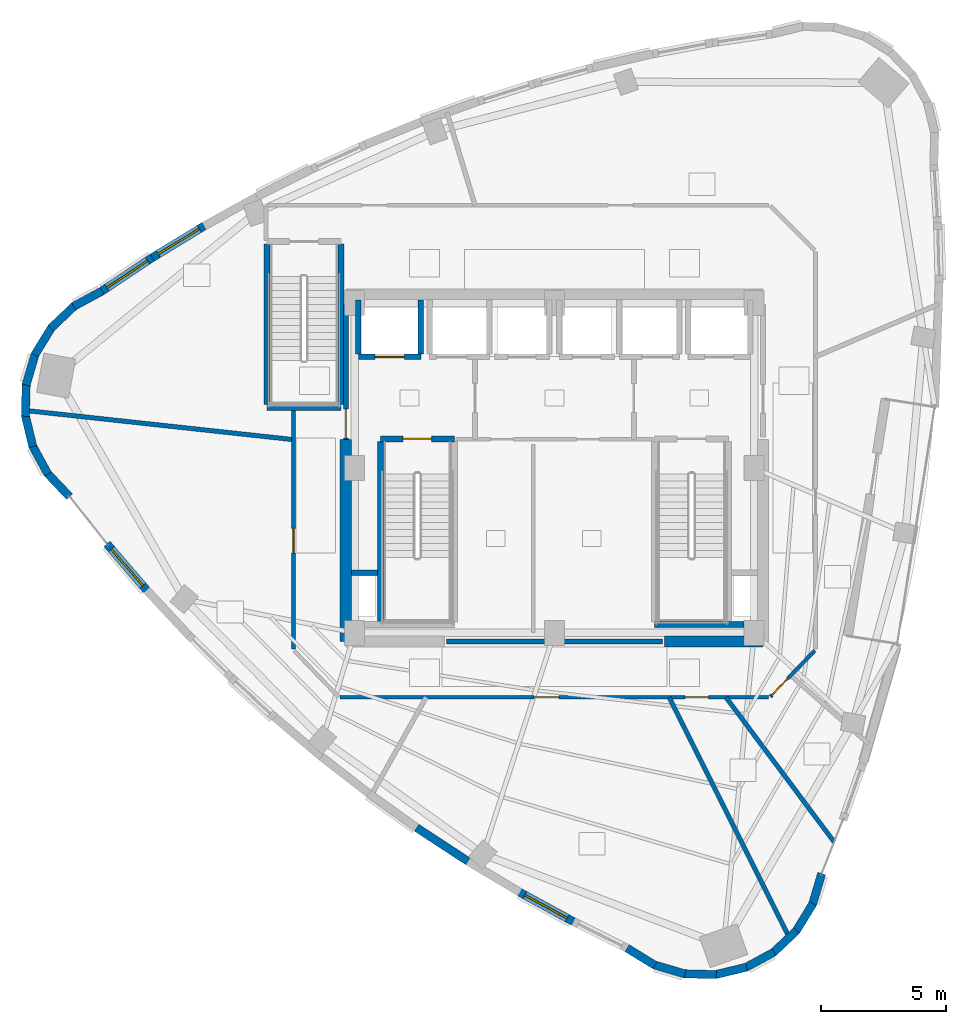
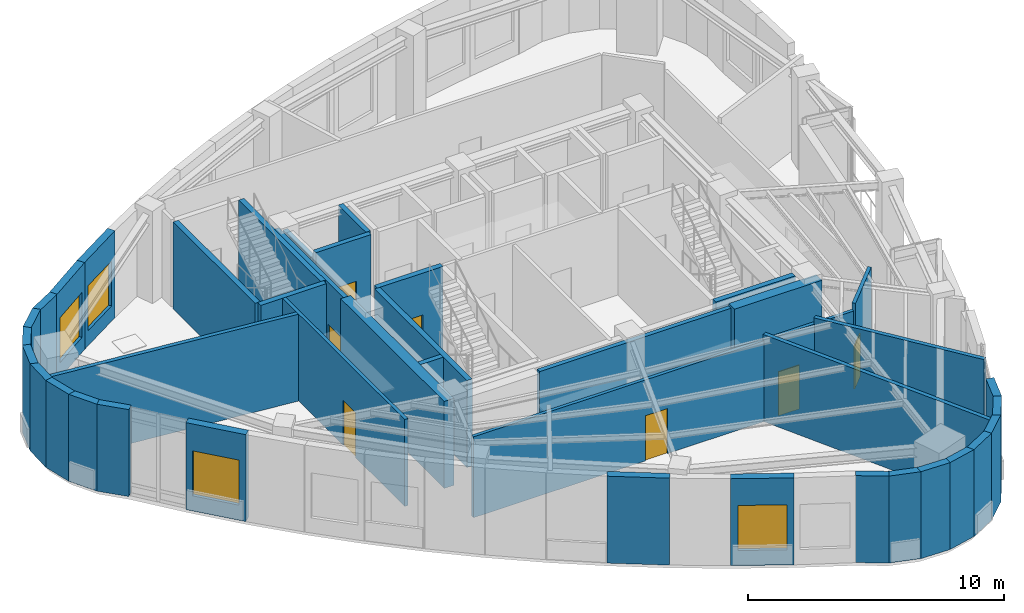
# One storey, part 9 of 14: 41 walls, 7 doors, 4 windows, 11 openings.
"""IFC4 building model written with IfcOpenShell, lengths in metres."""

import ifcopenshell
import ifcopenshell.guid

model = None  # the IFC model being written
_history = None  # IfcOwnerHistory: only IFC2X3 demands one
_inside = {}  # id of a spatial element -> (the spatial element, [elements in it])
_under = {}  # id of a project, library or spatial element -> (it, [spatial elements below it])
_declared = {}  # id of a project -> (the project, [libraries it declares])
_typed = {}  # id of a type object -> (the type object, [elements of that type])
_made_of = {}  # id of a material, layer set ... -> (it, [elements and type objects made of it])


def new_model(schema):
    """Start an empty IFC model of exactly this schema.

    Asked for "IFC4X3", IfcOpenShell would pick the latest addendum, in which some entities
    have other attributes; the version numbers below select the first issue.
    IFC2X3 requires an IfcOwnerHistory on every rooted entity: one is made here for all.
    """
    global model, _history
    if schema == "IFC4X3":
        model = ifcopenshell.file(schema_version=(4, 3, 0, 0))
    else:
        model = ifcopenshell.file(schema=schema)
    _inside.clear()
    _under.clear()
    _declared.clear()
    _typed.clear()
    _made_of.clear()
    _history = None
    if model.schema == "IFC2X3":
        org = make("IfcOrganization", Name="unknown")
        user = make(
            "IfcPersonAndOrganization",
            ThePerson=make("IfcPerson", FamilyName="unknown"),
            TheOrganization=org,
        )
        app = make(
            "IfcApplication",
            ApplicationDeveloper=org,
            Version="unknown",
            ApplicationFullName="unknown",
            ApplicationIdentifier="unknown",
        )
        _history = make(
            "IfcOwnerHistory",
            OwningUser=user,
            OwningApplication=app,
            ChangeAction="ADDED",
            CreationDate=0,
        )
    return model


def make(cls, **values):
    """One entity of the class cls with the attributes given. An attribute that is None is left unset."""
    return model.create_entity(
        cls, **{name: value for name, value in values.items() if value is not None}
    )


def rooted(cls, **values):
    """An entity with a GlobalId (a new one), such as an element, a storey or a relation."""
    return make(cls, GlobalId=ifcopenshell.guid.new(), OwnerHistory=_history, **values)


def si_unit(unit_type, name, prefix=None):
    """IfcSIUnit, for example si_unit("LENGTHUNIT", "METRE", prefix="MILLI")."""
    return make("IfcSIUnit", UnitType=unit_type, Prefix=prefix, Name=name)


def assignment(units):
    """IfcUnitAssignment: the units of a project."""
    return None if units is None else make("IfcUnitAssignment", Units=units)


def point(xyz):
    """IfcCartesianPoint."""
    return None if xyz is None else make("IfcCartesianPoint", Coordinates=xyz)


def direction(xyz):
    """IfcDirection."""
    return None if xyz is None else make("IfcDirection", DirectionRatios=xyz)


def frame(location, z_axis=None, x_axis=None):
    """IfcAxis2Placement3D, a coordinate frame: its origin and axes. An axis left out is left unset."""
    return make(
        "IfcAxis2Placement3D",
        Location=point(location),
        Axis=direction(z_axis),
        RefDirection=direction(x_axis),
    )


def frame_2d(location, x_axis=None):
    """IfcAxis2Placement2D, a coordinate frame in the plane: its origin and x axis."""
    return make(
        "IfcAxis2Placement2D", Location=point(location), RefDirection=direction(x_axis)
    )


def origin():
    """The frame at (0, 0, 0) with its axes left unset."""
    return frame((0.0, 0.0, 0.0))


def place(relative_to, where):
    """IfcLocalPlacement: puts the frame where relative to a parent placement (None: the world)."""
    return make(
        "IfcLocalPlacement", PlacementRelTo=relative_to, RelativePlacement=where
    )


def context(
    kind, dimensions, precision=None, world=None, true_north=None, identifier=None
):
    """IfcGeometricRepresentationContext, for example the 3D "Model" context."""
    return make(
        "IfcGeometricRepresentationContext",
        ContextIdentifier=identifier,
        ContextType=kind,
        CoordinateSpaceDimension=dimensions,
        Precision=precision,
        WorldCoordinateSystem=world,
        TrueNorth=true_north,
    )


def subcontext(parent, identifier, kind, view, scale=None):
    """IfcGeometricRepresentationSubContext, for example "Body" below "Model"."""
    return make(
        "IfcGeometricRepresentationSubContext",
        ContextIdentifier=identifier,
        ContextType=kind,
        ParentContext=parent,
        TargetScale=scale,
        TargetView=view,
    )


def project(units=None, contexts=None):
    """IfcProject with its units and contexts."""
    return rooted(
        "IfcProject",
        Name="project",
        RepresentationContexts=contexts,
        UnitsInContext=assignment(units),
    )


def spatial(cls, under=None, at=None, **own):
    """A site, building, storey or space (cls), placed at a placement, below another one or the project."""
    s = rooted(cls, ObjectPlacement=at, **own)
    if under is not None:
        _under.setdefault(under.id(), (under, []))[1].append(s)
    return s


def profile(cls, at=None, kind="AREA", **sizes):
    """A parametric profile (cls). Its sizes go by their IFC names, for example OverallWidth=200.0."""
    return make(cls, ProfileType=kind, Position=at, **sizes)


def rectangle(**sizes):
    """IfcRectangleProfileDef."""
    return profile("IfcRectangleProfileDef", **sizes)


def extrude(swept, where, along, depth):
    """IfcExtrudedAreaSolid: the profile swept, set in the frame where, extruded along a direction by depth."""
    return make(
        "IfcExtrudedAreaSolid",
        SweptArea=swept,
        Position=where,
        ExtrudedDirection=direction(along),
        Depth=depth,
    )


def shape(context_of_items, identifier, shape_type, items):
    """IfcShapeRepresentation: the items that make up one representation, for example the "Body"."""
    return make(
        "IfcShapeRepresentation",
        ContextOfItems=context_of_items,
        RepresentationIdentifier=identifier,
        RepresentationType=shape_type,
        Items=items,
    )


def material(Name=None, Category=None):
    """IfcMaterial."""
    return make("IfcMaterial", Name=Name, Category=Category)


def layer(
    of_material, thickness, ventilated=None, Name=None, Category=None, Priority=None
):
    """IfcMaterialLayer: one layer of a wall or slab, of a material (None: an air gap)."""
    return make(
        "IfcMaterialLayer",
        Material=of_material,
        LayerThickness=thickness,
        IsVentilated=ventilated,
        Name=Name,
        Category=Category,
        Priority=Priority,
    )


def layer_set(layers, Name=None):
    """IfcMaterialLayerSet."""
    return make("IfcMaterialLayerSet", MaterialLayers=layers, LayerSetName=Name)


def made_of(thing, what):
    """Note that an element or type object is made of a material, layer set ...; save() writes the relation."""
    if what is not None:
        _made_of.setdefault(what.id(), (what, []))[1].append(thing)
    return thing


def type_object(cls, material=None, **own):
    """A type object (cls), such as IfcWallType, which elements share."""
    return made_of(rooted(cls, **own), material)


def element(
    cls,
    number,
    at=None,
    inside=None,
    cuts=None,
    type_object=None,
    material=None,
    context=None,
    identifier="Body",
    shape_type=None,
    held_by="IfcProductDefinitionShape",
    body=None,
    shapes=None,
    **own,
):
    """One element of the class cls, such as IfcWall. Its Tag is "e" and its number.

    at: its placement. inside: the storey or other place that contains it. cuts: it is an
    opening in that element (IfcRelVoidsElement). A single representation is given by context,
    identifier, shape_type and body (its items); several are given by shapes. held_by: the class
    of the entity that holds the representations. save() writes the other relations.
    """
    e = rooted(cls, Tag="e%d" % number, ObjectPlacement=at, **own)
    if body is not None:
        shapes = [shape(context, identifier, shape_type, body)]
    if shapes is not None:
        e.Representation = make(held_by, Representations=shapes)
    if inside is not None:
        _inside.setdefault(inside.id(), (inside, []))[1].append(e)
    if cuts is not None:
        rooted(
            "IfcRelVoidsElement", RelatingBuildingElement=cuts, RelatedOpeningElement=e
        )
    if type_object is not None:
        _typed.setdefault(type_object.id(), (type_object, []))[1].append(e)
    return made_of(e, material)


def fill(opening, filler):
    """IfcRelFillsElement: the door or window that sits in an opening."""
    return rooted(
        "IfcRelFillsElement",
        RelatingOpeningElement=opening,
        RelatedBuildingElement=filler,
    )


def aggregate(whole, parts):
    """IfcRelAggregates: a whole, such as a stair, and the parts it consists of."""
    return rooted("IfcRelAggregates", RelatingObject=whole, RelatedObjects=parts)


def save(model, path):
    """Write the relations noted so far, then the file.

    IfcRelAggregates (storeys below a building ...), IfcRelContainedInSpatialStructure (elements
    in a storey), IfcRelDefinesByType, IfcRelAssociatesMaterial and IfcRelDeclares: one each for
    every whole, place, type object, material and project.
    """
    for whole, parts in _under.values():
        aggregate(whole, parts)
    for where, things in _inside.values():
        rooted(
            "IfcRelContainedInSpatialStructure",
            RelatedElements=things,
            RelatingStructure=where,
        )
    for kind, things in _typed.values():
        rooted("IfcRelDefinesByType", RelatedObjects=things, RelatingType=kind)
    for what, things in _made_of.values():
        rooted("IfcRelAssociatesMaterial", RelatedObjects=things, RelatingMaterial=what)
    for by, libraries in _declared.values():
        rooted("IfcRelDeclares", RelatingContext=by, RelatedDefinitions=libraries)
    model.write(path)


model = new_model("IFC4")

# Units and contexts
model_context = context("Model", 3, precision=1e-05, world=origin(), true_north=direction((0.0, 1.0)))
body_context = subcontext(model_context, "Body", "Model", "MODEL_VIEW")
ifc_project = project(units=[si_unit("LENGTHUNIT", "METRE"), si_unit("AREAUNIT", "SQUARE_METRE"), si_unit("VOLUMEUNIT", "CUBIC_METRE"), si_unit("PLANEANGLEUNIT", "RADIAN"), si_unit("MASSUNIT", "GRAM", prefix="KILO")], contexts=[model_context])

# Site, building, storey
site_placement = place(None, origin())
site = spatial("IfcSite", under=ifc_project, at=site_placement, CompositionType="ELEMENT")
building_placement = place(site_placement, origin())
building = spatial("IfcBuilding", under=site, at=building_placement, Name="Ndelora Gate Hotel", CompositionType="ELEMENT")
storey_placement = place(building_placement, frame((0.0, 0.0, 277.199951171875)))
storey = spatial("IfcBuildingStorey", under=building, at=storey_placement, Name="L69", CompositionType="ELEMENT", Elevation=277.199951171875)

# Walls
ifc_material_1 = material(Name="Acoustic Double-Stud Gypsum Assembly", Category="gypsum")
ifc_layer_1 = layer(ifc_material_1, 0.179931640625)
ifc_layer_set_1 = layer_set([ifc_layer_1], Name="Acoustic Double-Stud Gypsum Assembly")
wall_type_1 = type_object("IfcWallType", Name="WL-ACOUST-180", PredefinedType="PARTITIONING", material=ifc_layer_set_1)
wall_1_placement = place(storey_placement, frame((-10.449951171875, 1.136962890625, 0.0), z_axis=(0.0, 0.0, 1.0), x_axis=(-0.994132831071, 0.108166141594, 0.0)))
element("IfcWall", 1, at=wall_1_placement, inside=storey, type_object=wall_type_1, Name="L69 Interior Wall IW-3", PredefinedType="PARTITIONING", context=body_context, shape_type="SweptSolid", body=[
    extrude(rectangle(XDim=10.788818359375, YDim=0.179931640625, at=frame_2d((5.39453125, 0.0))), origin(), (0.0, 0.0, 1.0), 4.150146484375),
])
wall_2_placement = place(storey_placement, frame((4.59326171875, -9.179931640625, 0.0), z_axis=(0.0, 0.0, 1.0), x_axis=(0.447458836271, -0.894304528582, 0.0)))
element("IfcWall", 2, at=wall_2_placement, inside=storey, type_object=wall_type_1, Name="L69 Interior Wall IW-3", PredefinedType="PARTITIONING", context=body_context, shape_type="SweptSolid", body=[
    extrude(rectangle(XDim=10.750732421875, YDim=0.179931640625, at=frame_2d((5.37548828125, 0.0))), origin(), (0.0, 0.0, 1.0), 4.150146484375),
])
wall_3_placement = place(storey_placement, frame((6.866943359375, -9.179931640625, 0.0), z_axis=(0.0, 0.0, 1.0), x_axis=(0.598984906235, -0.800760315015, 0.0)))
element("IfcWall", 3, at=wall_3_placement, inside=storey, type_object=wall_type_1, Name="L69 Interior Wall IW-3", PredefinedType="PARTITIONING", context=body_context, shape_type="SweptSolid", body=[
    extrude(rectangle(XDim=7.238037109375, YDim=0.179931640625, at=frame_2d((3.619140625, 0.0))), origin(), (0.0, 0.0, 1.0), 4.150146484375),
])
ifc_material_2 = material(Name="Clay Brick Masonry", Category="masonry")
ifc_layer_2 = layer(ifc_material_2, 0.330078125)
ifc_layer_set_2 = layer_set([ifc_layer_2], Name="Clay Brick Masonry")
wall_type_2 = type_object("IfcWallType", Name="WL-BRICK-330", PredefinedType="SOLIDWALL", material=ifc_layer_set_2)
wall_4_placement = place(storey_placement, frame((-19.25048828125, 6.469970703125, 0.0), z_axis=(0.0, 0.0, 1.0), x_axis=(0.878774855812, 0.477236579478, 0.0)))
element("IfcWall", 4, at=wall_4_placement, inside=storey, type_object=wall_type_2, Name="L69 Tower Brick Pier-and-Spandrel Wall TWR-1", PredefinedType="SOLIDWALL", context=body_context, shape_type="SweptSolid", body=[
    extrude(rectangle(XDim=1.302978515625, YDim=0.330078125, at=frame_2d((0.6513671875, 0.0))), origin(), (0.0, 0.0, 1.0), 4.150146484375),
])
wall_5_placement = place(storey_placement, frame((-20.155517578125, 5.602294921875, 0.0), z_axis=(0.0, 0.0, 1.0), x_axis=(0.725415712612, 0.688311008118, 0.0)))
element("IfcWall", 5, at=wall_5_placement, inside=storey, type_object=wall_type_2, Name="L69 Tower Brick Pier-and-Spandrel Wall TWR-2", PredefinedType="SOLIDWALL", context=body_context, shape_type="SweptSolid", body=[
    extrude(rectangle(XDim=1.302734375, YDim=0.330078125, at=frame_2d((0.6513671875, 0.0))), origin(), (0.0, 0.0, 1.0), 4.150146484375),
])
wall_6_placement = place(storey_placement, frame((-20.805419921875, 4.52978515625, 0.0), z_axis=(0.0, 0.0, 1.0), x_axis=(0.522601602676, 0.852577014047, 0.0)))
element("IfcWall", 6, at=wall_6_placement, inside=storey, type_object=wall_type_2, Name="L69 Tower Brick Pier-and-Spandrel Wall TWR-3", PredefinedType="SOLIDWALL", context=body_context, shape_type="SweptSolid", body=[
    extrude(rectangle(XDim=1.302978515625, YDim=0.330078125, at=frame_2d((0.6513671875, 0.0))), origin(), (0.0, 0.0, 1.0), 4.150146484375),
])
wall_7_placement = place(storey_placement, frame((-21.1552734375, 3.325439453125, 0.0), z_axis=(0.0, 0.0, 1.0), x_axis=(0.284011785169, 0.958820789243, 0.0)))
element("IfcWall", 7, at=wall_7_placement, inside=storey, type_object=wall_type_2, Name="L69 Tower Brick Pier-and-Spandrel Wall TWR-4", PredefinedType="SOLIDWALL", context=body_context, shape_type="SweptSolid", body=[
    extrude(rectangle(XDim=1.30322265625, YDim=0.330078125, at=frame_2d((0.651611328125, 0.0))), origin(), (0.0, 0.0, 1.0), 4.150146484375),
])
for number, where, z_axis, x_axis, name in (
    (8, (-21.181640625, 2.072021484375, 0.0), (0.0, 0.0, 1.0), (0.02623276863, 0.999655861709, 0.0), "L69 Tower Brick Pier-and-Spandrel Wall TWR-5"),
    (9, (-20.882568359375, 0.854248046875, 0.0), (0.0, 0.0, 1.0), (-0.233486347997, 0.972360080062, 0.0), "L69 Tower Brick Pier-and-Spandrel Wall TWR-6"),
    (10, (-20.278564453125, -0.24462890625, 0.0), (0.0, 0.0, 1.0), (-0.477236579478, 0.878774855812, 0.0), "L69 Tower Brick Pier-and-Spandrel Wall TWR-7"),
):
    element("IfcWall", number, at=place(storey_placement, frame(where, z_axis=z_axis, x_axis=x_axis)), inside=storey, type_object=wall_type_2, Name=name, PredefinedType="SOLIDWALL", context=body_context, shape_type="SweptSolid", body=[
        extrude(rectangle(XDim=1.302978515625, YDim=0.330078125, at=frame_2d((0.6513671875, 0.0))), origin(), (0.0, 0.0, 1.0), 4.150146484375),
    ])
wall_8_placement = place(storey_placement, frame((-19.41064453125, -1.14990234375, 0.0), z_axis=(0.0, 0.0, 1.0), x_axis=(-0.688316050819, 0.725410927809, 0.0)))
element("IfcWall", 11, at=wall_8_placement, inside=storey, type_object=wall_type_2, Name="L69 Tower Brick Pier-and-Spandrel Wall TWR-8", PredefinedType="SOLIDWALL", context=body_context, shape_type="SweptSolid", body=[
    extrude(rectangle(XDim=1.30322265625, YDim=0.330078125, at=frame_2d((0.651611328125, 0.0))), origin(), (0.0, 0.0, 1.0), 4.150146484375),
])

# Wall, opening, window
wall_9_placement = place(storey_placement, frame((-16.296630859375, -4.924072265625, 0.0), z_axis=(0.0, 0.0, 1.0), x_axis=(-0.651591190477, 0.75857031348, 0.0)))
wall_9 = element("IfcWall", 12, at=wall_9_placement, inside=storey, type_object=wall_type_2, Name="L69 Tower Brick Pier-and-Spandrel Wall TWR-10", PredefinedType="SOLIDWALL", context=body_context, shape_type="SweptSolid", body=[
    extrude(rectangle(XDim=2.487548828125, YDim=0.330078125, at=frame_2d((1.24365234375, 0.0))), origin(), (0.0, 0.0, 1.0), 4.150146484375),
])
opening_1_placement = place(wall_9_placement, frame((0.27880859375, 0.0, 0.719970703125)))
opening_1 = element("IfcOpeningElement", 13, at=opening_1_placement, cuts=wall_9, Name="Opening W05", PredefinedType="OPENING", context=body_context, shape_type="SweptSolid", body=[
    extrude(rectangle(XDim=1.929931640625, YDim=2.14990234375, at=frame_2d((0.96484375, 1.074951171875))), frame((0.0, 0.175048828125, 0.0), z_axis=(0.0, -1.0, 0.0), x_axis=(1.0, 0.0, 0.0)), (0.0, 0.0, 1.0), 0.35009765625),
])
ifc_material_3 = material(Name="Insulated Low-E Double Glazing in Bronze Aluminium Frame", Category="aluminium")
window_type = type_object("IfcWindowType", Name="WN-SKY-2000", PartitioningType="SINGLE_PANEL", PredefinedType="WINDOW", material=ifc_material_3)
window_1_placement = place(opening_1_placement, origin())
window_1 = element("IfcWindow", 14, at=window_1_placement, inside=storey, type_object=window_type, Name="L69 Deep-Set Brick-Pier Window W05", OverallHeight=2.14990234375, OverallWidth=1.929931640625, PartitioningType="SINGLE_PANEL", PredefinedType="WINDOW", context=body_context, shape_type="SweptSolid", body=[
    extrude(rectangle(XDim=1.929931640625, YDim=2.14990234375, at=frame_2d((0.96484375, 1.074951171875))), frame((0.0, 0.030029296875, 0.0), z_axis=(0.0, -1.0, 0.0), x_axis=(1.0, 0.0, 0.0)), (0.0, 0.0, 1.0), 0.06005859375),
])
fill(opening_1, window_1)

# Wall
wall_10_placement = place(storey_placement, frame((-3.462890625, -15.74560546875, 0.0), z_axis=(0.0, 0.0, 1.0), x_axis=(-0.8366477668, 0.547741284101, 0.0)))
element("IfcWall", 15, at=wall_10_placement, inside=storey, type_object=wall_type_2, Name="L69 Tower Brick Pier-and-Spandrel Wall TWR-17", PredefinedType="SOLIDWALL", context=body_context, shape_type="SweptSolid", body=[
    extrude(rectangle(XDim=2.4599609375, YDim=0.330078125, at=frame_2d((1.22998046875, 0.0))), origin(), (0.0, 0.0, 1.0), 4.150146484375),
])

# Wall, opening, window
wall_11_placement = place(storey_placement, frame((0.75439453125, -18.1572265625, 0.0), z_axis=(0.0, 0.0, 1.0), x_axis=(-0.877475074231, 0.479622241044, 0.0)))
wall_11 = element("IfcWall", 16, at=wall_11_placement, inside=storey, type_object=wall_type_2, Name="L69 Tower Brick Pier-and-Spandrel Wall TWR-19", PredefinedType="SOLIDWALL", context=body_context, shape_type="SweptSolid", body=[
    extrude(rectangle(XDim=2.487060546875, YDim=0.330078125, at=frame_2d((1.24365234375, 0.0))), origin(), (0.0, 0.0, 1.0), 4.150146484375),
])
opening_2_placement = place(wall_11_placement, frame((0.278564453125, 0.0, 0.719970703125)))
opening_2 = element("IfcOpeningElement", 17, at=opening_2_placement, cuts=wall_11, Name="Opening W05", PredefinedType="OPENING", context=body_context, shape_type="SweptSolid", body=[
    extrude(rectangle(XDim=1.929931640625, YDim=2.14990234375, at=frame_2d((0.96484375, 1.074951171875))), frame((0.0, 0.175048828125, 0.0), z_axis=(0.0, -1.0, 0.0), x_axis=(1.0, 0.0, 0.0)), (0.0, 0.0, 1.0), 0.35009765625),
])
window_2_placement = place(opening_2_placement, origin())
window_2 = element("IfcWindow", 18, at=window_2_placement, inside=storey, type_object=window_type, Name="L69 Deep-Set Brick-Pier Window W05", OverallHeight=2.14990234375, OverallWidth=1.929931640625, PartitioningType="SINGLE_PANEL", PredefinedType="WINDOW", context=body_context, shape_type="SweptSolid", body=[
    extrude(rectangle(XDim=1.929931640625, YDim=2.14990234375, at=frame_2d((0.96484375, 1.074951171875))), frame((0.0, 0.030029296875, 0.0), z_axis=(0.0, -1.0, 0.0), x_axis=(1.0, 0.0, 0.0)), (0.0, 0.0, 1.0), 0.06005859375),
])
fill(opening_2, window_2)

# Walls
for number, where, z_axis, x_axis, name in (
    (19, (4.022216796875, -19.906494140625, 0.0), (0.0, 0.0, 1.0), (-0.852628177474, 0.522518125022, 0.0), "L69 Tower Brick Pier-and-Spandrel Wall TWR-21"),
    (20, (5.226318359375, -20.25634765625, 0.0), (0.0, 0.0, 1.0), (-0.958820789243, 0.284011785169, 0.0), "L69 Tower Brick Pier-and-Spandrel Wall TWR-22"),
):
    element("IfcWall", number, at=place(storey_placement, frame(where, z_axis=z_axis, x_axis=x_axis)), inside=storey, type_object=wall_type_2, Name=name, PredefinedType="SOLIDWALL", context=body_context, shape_type="SweptSolid", body=[
        extrude(rectangle(XDim=1.30322265625, YDim=0.330078125, at=frame_2d((0.651611328125, 0.0))), origin(), (0.0, 0.0, 1.0), 4.150146484375),
    ])
for number, where, z_axis, x_axis, name in (
    (21, (6.479736328125, -20.28271484375, 0.0), (0.0, 0.0, 1.0), (-0.999655861709, 0.02623276863, 0.0), "L69 Tower Brick Pier-and-Spandrel Wall TWR-23"),
    (22, (7.697509765625, -19.983642578125, 0.0), (0.0, 0.0, 1.0), (-0.972370292931, -0.233443812137, 0.0), "L69 Tower Brick Pier-and-Spandrel Wall TWR-24"),
    (23, (8.79638671875, -19.379638671875, 0.0), (0.0, 0.0, 1.0), (-0.878774855812, -0.477236579478, 0.0), "L69 Tower Brick Pier-and-Spandrel Wall TWR-25"),
):
    element("IfcWall", number, at=place(storey_placement, frame(where, z_axis=z_axis, x_axis=x_axis)), inside=storey, type_object=wall_type_2, Name=name, PredefinedType="SOLIDWALL", context=body_context, shape_type="SweptSolid", body=[
        extrude(rectangle(XDim=1.302978515625, YDim=0.330078125, at=frame_2d((0.6513671875, 0.0))), origin(), (0.0, 0.0, 1.0), 4.150146484375),
    ])
wall_12_placement = place(storey_placement, frame((9.701416015625, -18.511962890625, 0.0), z_axis=(0.0, 0.0, 1.0), x_axis=(-0.725415712612, -0.688311008118, 0.0)))
element("IfcWall", 24, at=wall_12_placement, inside=storey, type_object=wall_type_2, Name="L69 Tower Brick Pier-and-Spandrel Wall TWR-26", PredefinedType="SOLIDWALL", context=body_context, shape_type="SweptSolid", body=[
    extrude(rectangle(XDim=1.302734375, YDim=0.330078125, at=frame_2d((0.6513671875, 0.0))), origin(), (0.0, 0.0, 1.0), 4.150146484375),
])
wall_13_placement = place(storey_placement, frame((10.351318359375, -17.439453125, 0.0), z_axis=(0.0, 0.0, 1.0), x_axis=(-0.522601602676, -0.852577014047, 0.0)))
element("IfcWall", 25, at=wall_13_placement, inside=storey, type_object=wall_type_2, Name="L69 Tower Brick Pier-and-Spandrel Wall TWR-27", PredefinedType="SOLIDWALL", context=body_context, shape_type="SweptSolid", body=[
    extrude(rectangle(XDim=1.302978515625, YDim=0.330078125, at=frame_2d((0.6513671875, 0.0))), origin(), (0.0, 0.0, 1.0), 4.150146484375),
])
wall_14_placement = place(storey_placement, frame((10.701171875, -16.235107421875, 0.0), z_axis=(0.0, 0.0, 1.0), x_axis=(-0.284011785169, -0.958820789243, 0.0)))
element("IfcWall", 26, at=wall_14_placement, inside=storey, type_object=wall_type_2, Name="L69 Tower Brick Pier-and-Spandrel Wall TWR-28", PredefinedType="SOLIDWALL", context=body_context, shape_type="SweptSolid", body=[
    extrude(rectangle(XDim=1.30322265625, YDim=0.330078125, at=frame_2d((0.651611328125, 0.0))), origin(), (0.0, 0.0, 1.0), 4.150146484375),
])

# Wall, opening, window
wall_15_placement = place(storey_placement, frame((-16.101806640625, 8.42529296875, 0.0), z_axis=(0.0, 0.0, 1.0), x_axis=(0.854079117913, 0.520143115253, 0.0)))
wall_15 = element("IfcWall", 27, at=wall_15_placement, inside=storey, type_object=wall_type_2, Name="L69 Tower Brick Pier-and-Spandrel Wall TWR-57", PredefinedType="SOLIDWALL", context=body_context, shape_type="SweptSolid", body=[
    extrude(rectangle(XDim=2.4873046875, YDim=0.330078125, at=frame_2d((1.24365234375, 0.0))), origin(), (0.0, 0.0, 1.0), 4.150146484375),
])
opening_3_placement = place(wall_15_placement, frame((0.278564453125, 0.0, 0.719970703125)))
opening_3 = element("IfcOpeningElement", 28, at=opening_3_placement, cuts=wall_15, Name="Opening W05", PredefinedType="OPENING", context=body_context, shape_type="SweptSolid", body=[
    extrude(rectangle(XDim=1.929931640625, YDim=2.14990234375, at=frame_2d((0.96484375, 1.074951171875))), frame((0.0, 0.175048828125, 0.0), z_axis=(0.0, -1.0, 0.0), x_axis=(1.0, 0.0, 0.0)), (0.0, 0.0, 1.0), 0.35009765625),
])
window_3_placement = place(opening_3_placement, origin())
window_3 = element("IfcWindow", 29, at=window_3_placement, inside=storey, type_object=window_type, Name="L69 Deep-Set Brick-Pier Window W05", OverallHeight=2.14990234375, OverallWidth=1.929931640625, PartitioningType="SINGLE_PANEL", PredefinedType="WINDOW", context=body_context, shape_type="SweptSolid", body=[
    extrude(rectangle(XDim=1.929931640625, YDim=2.14990234375, at=frame_2d((0.96484375, 1.074951171875))), frame((0.0, 0.030029296875, 0.0), z_axis=(0.0, -1.0, 0.0), x_axis=(1.0, 0.0, 0.0)), (0.0, 0.0, 1.0), 0.06005859375),
])
fill(opening_3, window_3)

wall_16_placement = place(storey_placement, frame((-18.148193359375, 7.06591796875, 0.0), z_axis=(0.0, 0.0, 1.0), x_axis=(0.833157490591, 0.55303579981, 0.0)))
wall_16 = element("IfcWall", 30, at=wall_16_placement, inside=storey, type_object=wall_type_2, Name="L69 Tower Brick Pier-and-Spandrel Wall TWR-58", PredefinedType="SOLIDWALL", context=body_context, shape_type="SweptSolid", body=[
    extrude(rectangle(XDim=2.506591796875, YDim=0.330078125, at=frame_2d((1.25341796875, 0.0))), origin(), (0.0, 0.0, 1.0), 4.150146484375),
])
opening_4_placement = place(wall_16_placement, frame((0.2783203125, 0.0, 0.719970703125)))
opening_4 = element("IfcOpeningElement", 31, at=opening_4_placement, cuts=wall_16, Name="Opening W05", PredefinedType="OPENING", context=body_context, shape_type="SweptSolid", body=[
    extrude(rectangle(XDim=1.949951171875, YDim=2.14990234375, at=frame_2d((0.97509765625, 1.074951171875))), frame((0.0, 0.175048828125, 0.0), z_axis=(0.0, -1.0, 0.0), x_axis=(1.0, 0.0, 0.0)), (0.0, 0.0, 1.0), 0.35009765625),
])
window_4_placement = place(opening_4_placement, origin())
window_4 = element("IfcWindow", 32, at=window_4_placement, inside=storey, type_object=window_type, Name="L69 Deep-Set Brick-Pier Window W05", OverallHeight=2.14990234375, OverallWidth=1.949951171875, PartitioningType="SINGLE_PANEL", PredefinedType="WINDOW", context=body_context, shape_type="SweptSolid", body=[
    extrude(rectangle(XDim=1.949951171875, YDim=2.14990234375, at=frame_2d((0.97509765625, 1.074951171875))), frame((0.0, 0.030029296875, 0.0), z_axis=(0.0, -1.0, 0.0), x_axis=(1.0, 0.0, 0.0)), (0.0, 0.0, 1.0), 0.06005859375),
])
fill(opening_4, window_4)

# Walls
ifc_material_4 = material(Name="Concrete C50/60", Category="concrete")
ifc_layer_3 = layer(ifc_material_4, 0.449951171875)
ifc_layer_set_3 = layer_set([ifc_layer_3], Name="Concrete C50/60")
wall_type_3 = type_object("IfcWallType", Name="WL-CORE-450", PredefinedType="SHEAR", material=ifc_layer_set_3)
wall_17_placement = place(storey_placement, frame((4.39990234375, -6.949951171875, 0.0), z_axis=(0.0, 0.0, 1.0), x_axis=(1.0, 0.0, 0.0)))
element("IfcWall", 33, at=wall_17_placement, inside=storey, type_object=wall_type_3, Name="L69 Core Shear Wall S-E", PredefinedType="SHEAR", context=body_context, shape_type="SweptSolid", body=[
    extrude(rectangle(XDim=3.9501953125, YDim=0.449951171875, at=frame_2d((1.97509765625, 0.0))), origin(), (0.0, 0.0, 1.0), 4.150146484375),
])
wall_18_placement = place(storey_placement, frame((-8.35009765625, -6.949951171875, 0.0), z_axis=(0.0, 0.0, 1.0), x_axis=(0.0, 1.0, 0.0)))
element("IfcWall", 34, at=wall_18_placement, inside=storey, type_object=wall_type_3, Name="L69 Core Shear Wall W", PredefinedType="SHEAR", context=body_context, shape_type="SweptSolid", body=[
    extrude(rectangle(XDim=8.099853515625, YDim=0.449951171875, at=frame_2d((4.0498046875, 0.0))), origin(), (0.0, 0.0, 1.0), 4.150146484375),
])

# Wall, opening, door
ifc_material_5 = material(Name="Concrete C40/50", Category="concrete")
ifc_layer_4 = layer(ifc_material_5, 0.199951171875)
ifc_layer_set_4 = layer_set([ifc_layer_4], Name="Concrete C40/50")
wall_type_4 = type_object("IfcWallType", Name="WL-FIRE-200", PredefinedType="PARTITIONING", material=ifc_layer_set_4)
wall_19_placement = place(storey_placement, frame((-8.35009765625, 1.14990234375, 0.0), z_axis=(0.0, 0.0, 1.0), x_axis=(0.0, 1.0, 0.0)))
wall_19 = element("IfcWall", 35, at=wall_19_placement, inside=storey, type_object=wall_type_4, Name="L69 Interior Wall IW-2", PredefinedType="PARTITIONING", context=body_context, shape_type="SweptSolid", body=[
    extrude(rectangle(XDim=5.400146484375, YDim=0.199951171875, at=frame_2d((2.7001953125, 0.0))), origin(), (0.0, 0.0, 1.0), 4.150146484375),
])
opening_5_placement = place(wall_19_placement, frame((0.06005859375, 0.0, 0.0)))
opening_5 = element("IfcOpeningElement", 36, at=opening_5_placement, cuts=wall_19, Name="Opening FD1", PredefinedType="OPENING", context=body_context, shape_type="SweptSolid", body=[
    extrude(rectangle(XDim=1.14990234375, YDim=2.14990234375, at=frame_2d((0.574951171875, 1.074951171875))), frame((0.0, 0.10986328125, 0.0), z_axis=(0.0, -1.0, 0.0), x_axis=(1.0, 0.0, 0.0)), (0.0, 0.0, 1.0), 0.219970703125),
])
ifc_material_6 = material(Name="Fire-Rated Timber-Veneer Steel Core", Category="steel")
door_type_1 = type_object("IfcDoorType", Name="DR-FD60", OperationType="SINGLE_SWING_LEFT", PredefinedType="DOOR", material=ifc_material_6)
door_1_placement = place(opening_5_placement, origin())
door_1 = element("IfcDoor", 37, at=door_1_placement, inside=storey, type_object=door_type_1, Name="L69 Firefighting Lobby West Corridor Door", OperationType="SINGLE_SWING_LEFT", OverallHeight=2.14990234375, OverallWidth=1.14990234375, PredefinedType="DOOR", context=body_context, shape_type="SweptSolid", body=[
    extrude(rectangle(XDim=1.14990234375, YDim=2.14990234375, at=frame_2d((0.574951171875, 1.074951171875))), frame((0.0, 0.02490234375, 0.0), z_axis=(0.0, -1.0, 0.0), x_axis=(1.0, 0.0, 0.0)), (0.0, 0.0, 1.0), 0.050048828125),
])
fill(opening_5, door_1)

# Wall
wall_20_placement = place(storey_placement, frame((-4.320068359375, -6.949951171875, 0.0), z_axis=(0.0, 0.0, 1.0), x_axis=(1.0, 0.0, 0.0)))
element("IfcWall", 38, at=wall_20_placement, inside=storey, type_object=wall_type_4, Name="L69 Interior Wall IW-2", PredefinedType="PARTITIONING", context=body_context, shape_type="SweptSolid", body=[
    extrude(rectangle(XDim=8.64013671875, YDim=0.199951171875, at=frame_2d((4.320068359375, 0.0))), origin(), (0.0, 0.0, 1.0), 4.150146484375),
])

# Wall, openings, doors
ifc_material_7 = material(Name="Fire-Rated Gypsum Stud Partition", Category="gypsum")
ifc_layer_5 = layer(ifc_material_7, 0.14990234375)
ifc_layer_set_5 = layer_set([ifc_layer_5], Name="Fire-Rated Gypsum Stud Partition")
wall_type_5 = type_object("IfcWallType", Name="WL-PART-150", PredefinedType="PARTITIONING", material=ifc_layer_set_5)
wall_21_placement = place(storey_placement, frame((8.580078125, -9.179931640625, 0.0), z_axis=(0.0, 0.0, 1.0), x_axis=(-1.0, 0.0, 0.0)))
wall_21 = element("IfcWall", 39, at=wall_21_placement, inside=storey, type_object=wall_type_5, Name="L69 Interior Wall IW-5", PredefinedType="PARTITIONING", context=body_context, shape_type="SweptSolid", body=[
    extrude(rectangle(XDim=17.16015625, YDim=0.14990234375, at=frame_2d((8.580078125, 0.0))), origin(), (0.0, 0.0, 1.0), 3.860107421875),
])
opening_6_placement = place(wall_21_placement, frame((2.40478515625, 0.0, 0.0)))
opening_6 = element("IfcOpeningElement", 40, at=opening_6_placement, cuts=wall_21, Name="Opening D05", PredefinedType="OPENING", context=body_context, shape_type="SweptSolid", body=[
    extrude(rectangle(XDim=0.949951171875, YDim=2.10009765625, at=frame_2d((0.47509765625, 1.050048828125))), frame((0.0, 0.0849609375, 0.0), z_axis=(0.0, -1.0, 0.0), x_axis=(1.0, 0.0, 0.0)), (0.0, 0.0, 1.0), 0.169921875),
])
opening_7_placement = place(wall_21_placement, frame((8.404296875, 0.0, 0.0)))
opening_7 = element("IfcOpeningElement", 41, at=opening_7_placement, cuts=wall_21, Name="Opening D01", PredefinedType="OPENING", context=body_context, shape_type="SweptSolid", body=[
    extrude(rectangle(XDim=1.0, YDim=2.14990234375, at=frame_2d((0.5, 1.074951171875))), frame((0.0, 0.0849609375, 0.0), z_axis=(0.0, -1.0, 0.0), x_axis=(1.0, 0.0, 0.0)), (0.0, 0.0, 1.0), 0.169921875),
])
ifc_material_8 = material(Name="Accessible Restroom Wide-Clearance Door", Category="wood")
door_type_2 = type_object("IfcDoorType", Name="DR-ACC-950", OperationType="SINGLE_SWING_LEFT", PredefinedType="DOOR", material=ifc_material_8)
door_2_placement = place(opening_6_placement, origin())
door_2 = element("IfcDoor", 42, at=door_2_placement, inside=storey, type_object=door_type_2, Name="L69 Male Public Restroom Entrance Door", OperationType="SINGLE_SWING_LEFT", OverallHeight=2.10009765625, OverallWidth=0.949951171875, PredefinedType="DOOR", context=body_context, shape_type="SweptSolid", body=[
    extrude(rectangle(XDim=0.949951171875, YDim=2.10009765625, at=frame_2d((0.47509765625, 1.050048828125))), frame((0.0, 0.02490234375, 0.0), z_axis=(0.0, -1.0, 0.0), x_axis=(1.0, 0.0, 0.0)), (0.0, 0.0, 1.0), 0.050048828125),
])
fill(opening_6, door_2)
ifc_material_9 = material(Name="Acoustic Hardwood Guest Entrance Door", Category="wood")
door_type_3 = type_object("IfcDoorType", Name="DR-COR-1000", OperationType="SINGLE_SWING_LEFT", PredefinedType="DOOR", material=ifc_material_9)
door_3_placement = place(opening_7_placement, origin())
door_3 = element("IfcDoor", 43, at=door_3_placement, inside=storey, type_object=door_type_3, Name="L69 Restaurant Finishing Kitchen Entrance Door", OperationType="SINGLE_SWING_LEFT", OverallHeight=2.14990234375, OverallWidth=1.0, PredefinedType="DOOR", context=body_context, shape_type="SweptSolid", body=[
    extrude(rectangle(XDim=1.0, YDim=2.14990234375, at=frame_2d((0.5, 1.074951171875))), frame((0.0, 0.02490234375, 0.0), z_axis=(0.0, -1.0, 0.0), x_axis=(1.0, 0.0, 0.0)), (0.0, 0.0, 1.0), 0.050048828125),
])
fill(opening_7, door_3)

# Wall, opening, door
wall_22_placement = place(storey_placement, frame((10.42236328125, -7.308837890625, 0.0), z_axis=(0.0, 0.0, 1.0), x_axis=(-0.693764562202, -0.720201869085, 0.0)))
wall_22 = element("IfcWall", 44, at=wall_22_placement, inside=storey, type_object=wall_type_5, Name="L69 Interior Wall IW-5", PredefinedType="PARTITIONING", context=body_context, shape_type="SweptSolid", body=[
    extrude(rectangle(XDim=2.55810546875, YDim=0.14990234375, at=frame_2d((1.279052734375, 0.0))), origin(), (0.0, 0.0, 1.0), 4.150146484375),
])
opening_8_placement = place(wall_22_placement, frame((1.55810546875, 0.0, 0.0)))
opening_8 = element("IfcOpeningElement", 45, at=opening_8_placement, cuts=wall_22, Name="Opening D04", PredefinedType="OPENING", context=body_context, shape_type="SweptSolid", body=[
    extrude(rectangle(XDim=0.919921875, YDim=2.050048828125, at=frame_2d((0.4599609375, 1.02490234375))), frame((0.0, 0.0849609375, 0.0), z_axis=(0.0, -1.0, 0.0), x_axis=(1.0, 0.0, 0.0)), (0.0, 0.0, 1.0), 0.169921875),
])
ifc_material_10 = material(Name="Painted Steel Core Service Door", Category="steel")
door_type_4 = type_object("IfcDoorType", Name="DR-SER-920", OperationType="SINGLE_SWING_LEFT", PredefinedType="DOOR", material=ifc_material_10)
door_4_placement = place(opening_8_placement, origin())
door_4 = element("IfcDoor", 46, at=door_4_placement, inside=storey, type_object=door_type_4, Name="L69 Accessible WC Entrance Door", OperationType="SINGLE_SWING_RIGHT", OverallHeight=2.050048828125, OverallWidth=0.919921875, PredefinedType="DOOR", context=body_context, shape_type="SweptSolid", body=[
    extrude(rectangle(XDim=0.919921875, YDim=2.050048828125, at=frame_2d((0.4599609375, 1.02490234375))), frame((0.0, 0.02490234375, 0.0), z_axis=(0.0, -1.0, 0.0), x_axis=(1.0, 0.0, 0.0)), (0.0, 0.0, 1.0), 0.050048828125),
])
fill(opening_8, door_4)

wall_23_placement = place(storey_placement, frame((-10.449951171875, -7.239990234375, 0.0), z_axis=(0.0, 0.0, 1.0), x_axis=(0.0, 1.0, 0.0)))
wall_23 = element("IfcWall", 47, at=wall_23_placement, inside=storey, type_object=wall_type_5, Name="L69 Interior Wall IW-5", PredefinedType="PARTITIONING", context=body_context, shape_type="SweptSolid", body=[
    extrude(rectangle(XDim=9.6298828125, YDim=0.14990234375, at=frame_2d((4.81494140625, 0.0))), origin(), (0.0, 0.0, 1.0), 4.150146484375),
])
opening_9_placement = place(wall_23_placement, frame((3.828857421875, 0.0, 0.0)))
opening_9 = element("IfcOpeningElement", 48, at=opening_9_placement, cuts=wall_23, Name="Opening D01", PredefinedType="OPENING", context=body_context, shape_type="SweptSolid", body=[
    extrude(rectangle(XDim=1.0, YDim=2.14990234375, at=frame_2d((0.5, 1.074951171875))), frame((0.0, 0.0849609375, 0.0), z_axis=(0.0, -1.0, 0.0), x_axis=(1.0, 0.0, 0.0)), (0.0, 0.0, 1.0), 0.169921875),
])
door_5_placement = place(opening_9_placement, origin())
door_5 = element("IfcDoor", 49, at=door_5_placement, inside=storey, type_object=door_type_3, Name="L69 Private Horizon Boardroom Entrance Door", OperationType="SINGLE_SWING_RIGHT", OverallHeight=2.14990234375, OverallWidth=1.0, PredefinedType="DOOR", context=body_context, shape_type="SweptSolid", body=[
    extrude(rectangle(XDim=1.0, YDim=2.14990234375, at=frame_2d((0.5, 1.074951171875))), frame((0.0, 0.02490234375, 0.0), z_axis=(0.0, -1.0, 0.0), x_axis=(1.0, 0.0, 0.0)), (0.0, 0.0, 1.0), 0.050048828125),
])
fill(opening_9, door_5)

# Wall
ifc_layer_6 = layer(ifc_material_5, 0.219970703125)
ifc_layer_set_6 = layer_set([ifc_layer_6], Name="Concrete C40/50")
wall_type_6 = type_object("IfcWallType", Name="WL-SHAFT-220", PredefinedType="PARTITIONING", material=ifc_layer_set_6)
wall_24_placement = place(storey_placement, frame((-8.125, -4.199951171875, 0.0), z_axis=(0.0, 0.0, 1.0), x_axis=(1.0, 0.0, 0.0)))
element("IfcWall", 50, at=wall_24_placement, inside=storey, type_object=wall_type_6, Name="L69 Interior Wall IW-1", PredefinedType="PARTITIONING", context=body_context, shape_type="SweptSolid", body=[
    extrude(rectangle(XDim=1.034912109375, YDim=0.219970703125, at=frame_2d((0.517578125, 0.0))), origin(), (0.0, 0.0, 1.0), 4.150146484375),
])

# Wall, opening, door
wall_25_placement = place(storey_placement, frame((-7.85009765625, 4.449951171875, 0.0), z_axis=(0.0, 0.0, 1.0), x_axis=(1.0, 0.0, 0.0)))
wall_25 = element("IfcWall", 51, at=wall_25_placement, inside=storey, type_object=wall_type_6, Name="L69 Interior Wall IW-1", PredefinedType="PARTITIONING", context=body_context, shape_type="SweptSolid", body=[
    extrude(rectangle(XDim=2.5, YDim=0.219970703125, at=frame_2d((1.25, 0.0))), origin(), (0.0, 0.0, 1.0), 4.150146484375),
])
opening_10_placement = place(wall_25_placement, frame((0.659912109375, 0.0, 0.0)))
opening_10 = element("IfcOpeningElement", 52, at=opening_10_placement, cuts=wall_25, Name="Opening LD5", PredefinedType="OPENING", context=body_context, shape_type="SweptSolid", body=[
    extrude(rectangle(XDim=1.179931640625, YDim=2.14990234375, at=frame_2d((0.58984375, 1.074951171875))), frame((0.0, 0.1201171875, 0.0), z_axis=(0.0, -1.0, 0.0), x_axis=(1.0, 0.0, 0.0)), (0.0, 0.0, 1.0), 0.239990234375),
])
ifc_material_11 = material(Name="Firefighting Lift Stainless Sliding Landing Door", Category="metal")
door_type_5 = type_object("IfcDoorType", Name="DR-LD5", OperationType="DOUBLE_DOOR_SLIDING", PredefinedType="DOOR", material=ifc_material_11)
door_6_placement = place(opening_10_placement, origin())
door_6 = element("IfcDoor", 53, at=door_6_placement, inside=storey, type_object=door_type_5, Name="L69 Lift Landing Sliding Door FFL1", OperationType="DOUBLE_DOOR_SLIDING", OverallHeight=2.14990234375, OverallWidth=1.179931640625, PredefinedType="DOOR", context=body_context, shape_type="SweptSolid", body=[
    extrude(rectangle(XDim=1.179931640625, YDim=2.14990234375, at=frame_2d((0.58984375, 1.074951171875))), frame((0.0, 0.02490234375, 0.0), z_axis=(0.0, -1.0, 0.0), x_axis=(1.0, 0.0, 0.0)), (0.0, 0.0, 1.0), 0.050048828125),
])
fill(opening_10, door_6)

# Walls
wall_26_placement = place(storey_placement, frame((-7.85009765625, 4.570068359375, 0.0), z_axis=(0.0, 0.0, 1.0), x_axis=(0.0, 1.0, 0.0)))
element("IfcWall", 54, at=wall_26_placement, inside=storey, type_object=wall_type_6, Name="L69 Interior Wall IW-1", PredefinedType="PARTITIONING", context=body_context, shape_type="SweptSolid", body=[
    extrude(rectangle(XDim=2.155029296875, YDim=0.219970703125, at=frame_2d((1.07763671875, 0.0))), origin(), (0.0, 0.0, 1.0), 3.830078125),
])
wall_27_placement = place(storey_placement, frame((-5.35009765625, 4.570068359375, 0.0), z_axis=(0.0, 0.0, 1.0), x_axis=(0.0, 1.0, 0.0)))
element("IfcWall", 55, at=wall_27_placement, inside=storey, type_object=wall_type_6, Name="L69 Interior Wall IW-1", PredefinedType="PARTITIONING", context=body_context, shape_type="SweptSolid", body=[
    extrude(rectangle(XDim=2.155029296875, YDim=0.219970703125, at=frame_2d((1.07763671875, 0.0))), origin(), (0.0, 0.0, 1.0), 4.150146484375),
])
ifc_layer_7 = layer(ifc_material_4, 0.239990234375)
ifc_layer_set_7 = layer_set([ifc_layer_7], Name="Concrete C50/60")
wall_type_7 = type_object("IfcWallType", Name="WL-STAIR-240", PredefinedType="SHEAR", material=ifc_layer_set_7)
wall_28_placement = place(storey_placement, frame((-6.969970703125, -6.159912109375, 0.0), z_axis=(0.0, 0.0, 1.0), x_axis=(0.0, 1.0, 0.0)))
element("IfcWall", 56, at=wall_28_placement, inside=storey, type_object=wall_type_7, Name="L69 Stair Core Shear Wall SW-ST", PredefinedType="SHEAR", context=body_context, shape_type="SweptSolid", body=[
    extrude(rectangle(XDim=7.219970703125, YDim=0.239990234375, at=frame_2d((3.60986328125, 0.0))), origin(), (0.0, 0.0, 1.0), 4.150146484375),
])

# Wall, opening, door
wall_29_placement = place(storey_placement, frame((-6.969970703125, 1.169921875, 0.0), z_axis=(0.0, 0.0, 1.0), x_axis=(1.0, 0.0, 0.0)))
wall_29 = element("IfcWall", 57, at=wall_29_placement, inside=storey, type_object=wall_type_7, Name="L69 Stair Core Shear Wall SW-ST", PredefinedType="SHEAR", context=body_context, shape_type="SweptSolid", body=[
    extrude(rectangle(XDim=2.9599609375, YDim=0.239990234375, at=frame_2d((1.47998046875, 0.0))), origin(), (0.0, 0.0, 1.0), 4.150146484375),
])
opening_11_placement = place(wall_29_placement, frame((0.89990234375, 0.0, 0.0)))
opening_11 = element("IfcOpeningElement", 58, at=opening_11_placement, cuts=wall_29, Name="Opening FD1", PredefinedType="OPENING", context=body_context, shape_type="SweptSolid", body=[
    extrude(rectangle(XDim=1.14990234375, YDim=2.14990234375, at=frame_2d((0.574951171875, 1.074951171875))), frame((0.0, 0.1298828125, 0.0), z_axis=(0.0, -1.0, 0.0), x_axis=(1.0, 0.0, 0.0)), (0.0, 0.0, 1.0), 0.260009765625),
])
door_7_placement = place(opening_11_placement, origin())
door_7 = element("IfcDoor", 59, at=door_7_placement, inside=storey, type_object=door_type_1, Name="L69 Exit Stair ST4 Door", OperationType="SINGLE_SWING_LEFT", OverallHeight=2.14990234375, OverallWidth=1.14990234375, PredefinedType="DOOR", context=body_context, shape_type="SweptSolid", body=[
    extrude(rectangle(XDim=1.14990234375, YDim=2.14990234375, at=frame_2d((0.574951171875, 1.074951171875))), frame((0.0, 0.02490234375, 0.0), z_axis=(0.0, -1.0, 0.0), x_axis=(1.0, 0.0, 0.0)), (0.0, 0.0, 1.0), 0.050048828125),
])
fill(opening_11, door_7)

# Walls
wall_30_placement = place(storey_placement, frame((4.010009765625, -6.27001953125, 0.0), z_axis=(0.0, 0.0, 1.0), x_axis=(1.0, 0.0, 0.0)))
element("IfcWall", 60, at=wall_30_placement, inside=storey, type_object=wall_type_7, Name="L69 Stair Core Shear Wall SW-ST", PredefinedType="SHEAR", context=body_context, shape_type="SweptSolid", body=[
    extrude(rectangle(XDim=3.590087890625, YDim=0.239990234375, at=frame_2d((1.794921875, 0.0))), origin(), (0.0, 0.0, 1.0), 4.150146484375),
])
wall_31_placement = place(storey_placement, frame((-11.510009765625, 2.5400390625, 0.0), z_axis=(0.0, 0.0, 1.0), x_axis=(0.0, 1.0, 0.0)))
element("IfcWall", 61, at=wall_31_placement, inside=storey, type_object=wall_type_7, Name="L69 Stair Core Shear Wall SW-ST", PredefinedType="SHEAR", context=body_context, shape_type="SweptSolid", body=[
    extrude(rectangle(XDim=6.419921875, YDim=0.239990234375, at=frame_2d((3.2099609375, 0.0))), origin(), (0.0, 0.0, 1.0), 4.150146484375),
])
wall_32_placement = place(storey_placement, frame((-11.510009765625, 2.429931640625, 0.0), z_axis=(0.0, 0.0, 1.0), x_axis=(1.0, 0.0, 0.0)))
element("IfcWall", 62, at=wall_32_placement, inside=storey, type_object=wall_type_7, Name="L69 Stair Core Shear Wall SW-ST", PredefinedType="SHEAR", context=body_context, shape_type="SweptSolid", body=[
    extrude(rectangle(XDim=2.9599609375, YDim=0.239990234375, at=frame_2d((1.47998046875, 0.0))), origin(), (0.0, 0.0, 1.0), 4.150146484375),
])
wall_33_placement = place(storey_placement, frame((-8.550048828125, 2.5400390625, 0.0), z_axis=(0.0, 0.0, 1.0), x_axis=(0.0, 1.0, 0.0)))
element("IfcWall", 63, at=wall_33_placement, inside=storey, type_object=wall_type_7, Name="L69 Stair Core Shear Wall SW-ST", PredefinedType="SHEAR", context=body_context, shape_type="SweptSolid", body=[
    extrude(rectangle(XDim=6.419921875, YDim=0.239990234375, at=frame_2d((3.2099609375, 0.0))), origin(), (0.0, 0.0, 1.0), 4.150146484375),
])

save(model, "model.ifc")
